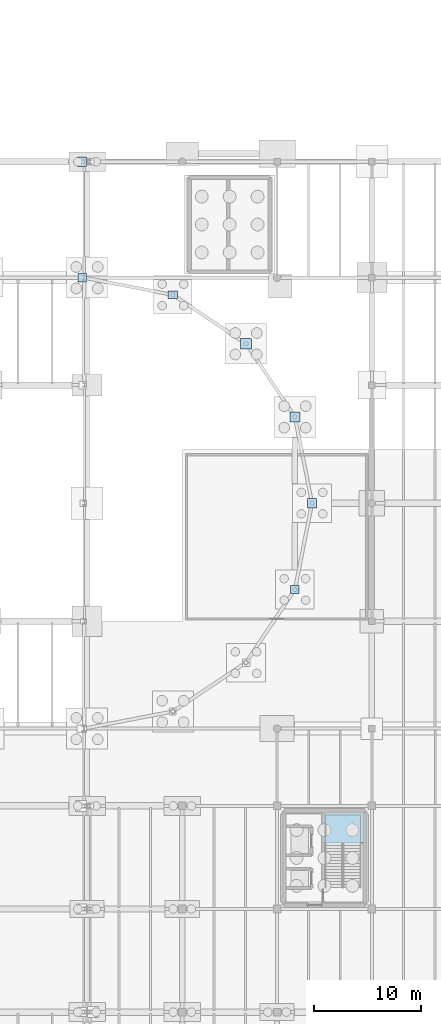
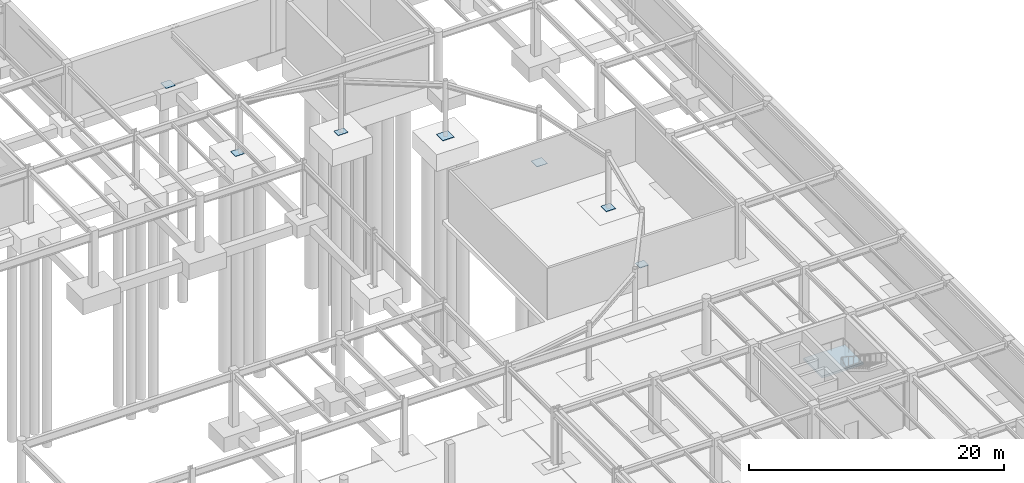
# One storey, part 38 of 50: 7 plates, 1 slab, 1 element without a shape of its own.
"""IFC4 building model written with IfcOpenShell, lengths in metres."""

from ifc_helpers import new_model, si_unit, direction, frame, origin, origin_2d, place, context, subcontext, project, spatial, polyline, rectangle, outline, extrude, material, layer, layer_set, type_object, element, aggregate, save


model = new_model("IFC4")

# Units and contexts
model_context = context("Model", 3, precision=1e-05, world=origin(), true_north=direction((0.0, 1.0)))
body_context = subcontext(model_context, "Body", "Model", "MODEL_VIEW")
ifc_project = project(units=[si_unit("LENGTHUNIT", "METRE"), si_unit("AREAUNIT", "SQUARE_METRE"), si_unit("VOLUMEUNIT", "CUBIC_METRE"), si_unit("PLANEANGLEUNIT", "RADIAN"), si_unit("MASSUNIT", "GRAM", prefix="KILO")], contexts=[model_context])

# Site, building, storey
site_placement = place(None, origin())
site = spatial("IfcSite", under=ifc_project, at=site_placement, CompositionType="ELEMENT")
building_placement = place(site_placement, origin())
building = spatial("IfcBuilding", under=site, at=building_placement, Name="Yeouljin Market Hall", CompositionType="ELEMENT")
storey_placement = place(building_placement, frame((0.0, 0.0, -5.39990234375)))
storey = spatial("IfcBuildingStorey", under=building, at=storey_placement, Name="B1", CompositionType="ELEMENT", Elevation=-5.39990234375)

# Plates
ifc_material_1 = material(Name="Steel SM355", Category="steel")
ifc_layer_1 = layer(ifc_material_1, 0.0400390625)
ifc_layer_set_1 = layer_set([ifc_layer_1], Name="Steel SM355")
plate_type_1 = type_object("IfcPlateType", Name="BasePlate_1020x1020x40", PredefinedType="USERDEFINED", material=ifc_layer_set_1)
plate_1_placement = place(storey_placement, frame((155.84912109375, 71.84912109375, 0.0), z_axis=(0.0, 0.0, 1.0), x_axis=(1.0, 0.0, 0.0)))
element("IfcPlate", 1, at=plate_1_placement, inside=storey, type_object=plate_type_1, Name="Column base plate 063", ObjectType="BASE PLATE", PredefinedType="USERDEFINED", context=body_context, shape_type="SweptSolid", body=[
    extrude(rectangle(XDim=1.02001953125, YDim=1.02001953125, at=origin_2d()), origin(), (0.0, 0.0, 1.0), 0.0400390625),
])
ifc_material_2 = material(Name="Steel SM355", Category="steel")
ifc_layer_2 = layer(ifc_material_2, 0.034912109375)
ifc_layer_set_2 = layer_set([ifc_layer_2], Name="Steel SM355")
plate_type_2 = type_object("IfcPlateType", Name="BasePlate_780x780x35", PredefinedType="USERDEFINED", material=ifc_layer_set_2)
for number, where, z_axis, x_axis, name in (
    (2, (140.60009765625, 78.0, 0.0), (0.0, 0.0, 1.0), (1.0, 0.0, 0.0), "Column base plate 044"),
    (3, (160.401611328125, 48.963623046875, 0.0), (0.0, 0.0, 1.0), (1.0, 0.0, 0.0), "Column base plate 060"),
):
    element("IfcPlate", number, at=place(storey_placement, frame(where, z_axis=z_axis, x_axis=x_axis)), inside=storey, type_object=plate_type_2, Name=name, ObjectType="BASE PLATE", PredefinedType="USERDEFINED", context=body_context, shape_type="SweptSolid", body=[
        extrude(rectangle(XDim=0.780029296875, YDim=0.780029296875, at=origin_2d()), origin(), (0.0, 0.0, 1.0), 0.034912109375),
    ])
ifc_material_3 = material(Name="Steel SM355", Category="steel")
ifc_layer_3 = layer(ifc_material_3, 0.035888671875)
ifc_layer_set_3 = layer_set([ifc_layer_3], Name="Steel SM355")
plate_type_3 = type_object("IfcPlateType", Name="BasePlate_860x860x36", PredefinedType="USERDEFINED", material=ifc_layer_set_3)
for number, where, z_axis, x_axis, name in (
    (4, (140.56005859375, 88.800048828125, 0.0), (0.0, 0.0, 1.0), (1.0, 0.0, 0.0), "Column base plate 045"),
    (5, (162.0, 57.0, 0.0), (0.0, 0.0, 1.0), (1.0, 0.0, 0.0), "Column base plate 061"),
):
    element("IfcPlate", number, at=place(storey_placement, frame(where, z_axis=z_axis, x_axis=x_axis)), inside=storey, type_object=plate_type_3, Name=name, ObjectType="BASE PLATE", PredefinedType="USERDEFINED", context=body_context, shape_type="SweptSolid", body=[
        extrude(rectangle(XDim=0.860107421875, YDim=0.860107421875, at=origin_2d()), origin(), (0.0, 0.0, 1.0), 0.035888671875),
    ])
ifc_material_4 = material(Name="Steel SM355", Category="steel")
ifc_layer_4 = layer(ifc_material_4, 0.035888671875)
ifc_layer_set_4 = layer_set([ifc_layer_4], Name="Steel SM355")
plate_type_4 = type_object("IfcPlateType", Name="BasePlate_900x700x36", PredefinedType="USERDEFINED", material=ifc_layer_set_4)
plate_2_placement = place(storey_placement, frame((149.036376953125, 76.401611328125, 0.0), z_axis=(0.0, 0.0, 1.0), x_axis=(1.0, 0.0, 0.0)))
element("IfcPlate", 6, at=plate_2_placement, inside=storey, type_object=plate_type_4, Name="Column base plate 064", ObjectType="BASE PLATE", PredefinedType="USERDEFINED", context=body_context, shape_type="SweptSolid", body=[
    extrude(rectangle(XDim=0.89990234375, YDim=0.699951171875, at=origin_2d()), origin(), (0.0, 0.0, 1.0), 0.035888671875),
])
ifc_material_5 = material(Name="Steel SM355", Category="steel")
ifc_layer_5 = layer(ifc_material_5, 0.0380859375)
ifc_layer_set_5 = layer_set([ifc_layer_5], Name="Steel SM355")
plate_type_5 = type_object("IfcPlateType", Name="BasePlate_940x940x38", PredefinedType="USERDEFINED", material=ifc_layer_set_5)
plate_3_placement = place(storey_placement, frame((160.401611328125, 65.036376953125, -0.000244140625), z_axis=(0.0, 0.0, 1.0), x_axis=(1.0, 0.0, 0.0)))
element("IfcPlate", 7, at=plate_3_placement, inside=storey, type_object=plate_type_5, Name="Column base plate 062", ObjectType="BASE PLATE", PredefinedType="USERDEFINED", context=body_context, shape_type="SweptSolid", body=[
    extrude(rectangle(XDim=0.93994140625, YDim=0.93994140625, at=origin_2d()), origin(), (0.0, 0.0, 1.0), 0.0380859375),
])

# Stair, slab
ifc_material_6 = material(Name="Concrete C30/37", Category="concrete")
stair_type = type_object("IfcStairType", Name="Stair_Core_B1_L00", PredefinedType="TWO_STRAIGHT_RUN_STAIR", material=ifc_material_6)
stair_placement = place(storey_placement, origin())
stair = element("IfcStair", 8, at=stair_placement, inside=storey, type_object=stair_type, Name="Enclosed exit stair ST-C3-B1", PredefinedType="TWO_STRAIGHT_RUN_STAIR")
ifc_material_7 = material(Name="Concrete C30/37", Category="concrete")
ifc_layer_6 = layer(ifc_material_7, 0.199951171875)
ifc_layer_set_6 = layer_set([ifc_layer_6], Name="Concrete C30/37")
slab_type = type_object("IfcSlabType", Name="StairLanding_200", PredefinedType="LANDING", material=ifc_layer_set_6)
slab_placement = place(storey_placement, frame((0.0, 0.0, 2.5)))
slab = element("IfcSlab", 9, at=slab_placement, type_object=slab_type, Name="ST-C3-B1 landing 1", PredefinedType="LANDING", context=body_context, shape_type="SweptSolid", body=[
    extrude(outline(polyline([(163.050048828125, 25.360107421875), (166.800048828125, 25.360107421875), (166.800048828125, 28.22998046875), (163.050048828125, 28.22998046875), (163.050048828125, 25.360107421875)])), origin(), (0.0, 0.0, 1.0), 0.199951171875),
])
aggregate(stair, [slab])

save(model, "model.ifc")
